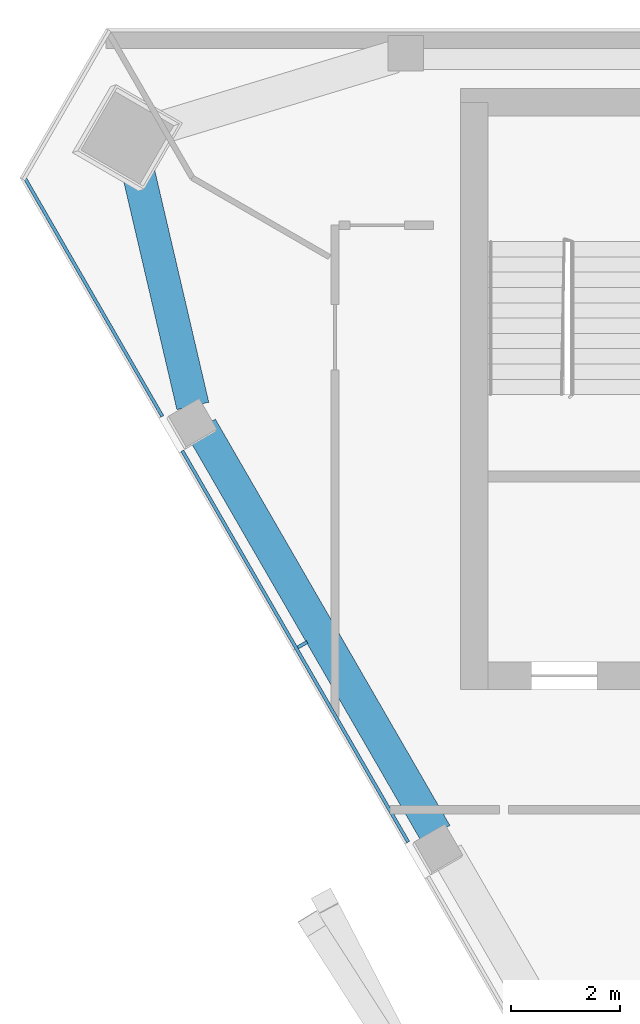
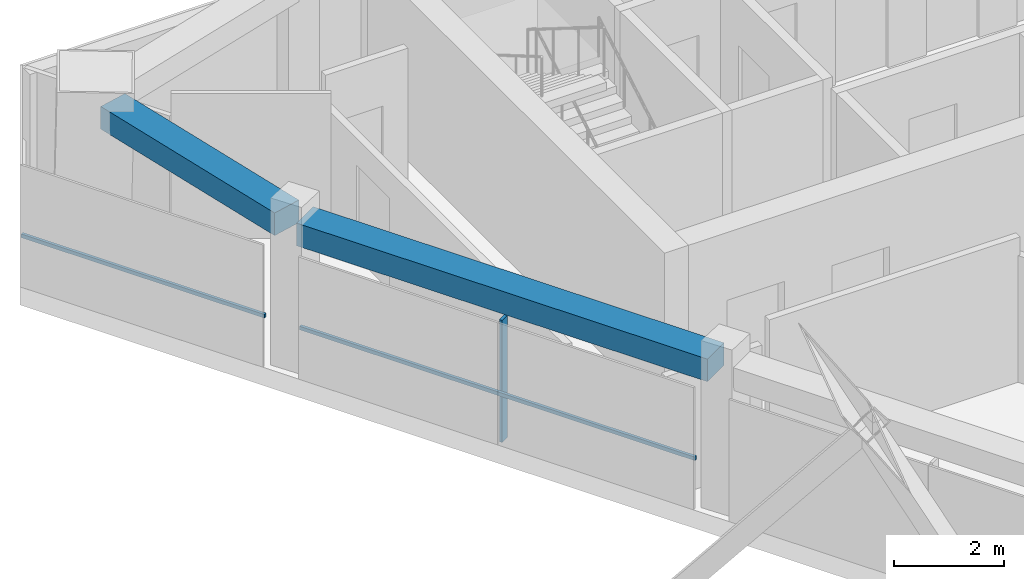
# One storey, part 3 of 10: 3 members, 2 beams, 1 element without a shape of its own.
"""IFC4 building model written with IfcOpenShell, lengths in metres."""

from ifc_helpers import new_model, si_unit, direction, frame, origin, origin_2d, place, context, subcontext, project, spatial, rectangle, extrude, material, layer, layer_set, material_profile, profile_set, type_object, element, aggregate, save


model = new_model("IFC4")

# Units and contexts
model_context = context("Model", 3, precision=1e-05, world=origin(), true_north=direction((0.0, 1.0)))
body_context = subcontext(model_context, "Body", "Model", "MODEL_VIEW")
ifc_project = project(units=[si_unit("LENGTHUNIT", "METRE"), si_unit("AREAUNIT", "SQUARE_METRE"), si_unit("VOLUMEUNIT", "CUBIC_METRE"), si_unit("PLANEANGLEUNIT", "RADIAN"), si_unit("MASSUNIT", "GRAM", prefix="KILO")], contexts=[model_context])

# Site, building, storey
site_placement = place(None, origin())
site = spatial("IfcSite", under=ifc_project, at=site_placement, CompositionType="ELEMENT")
building_placement = place(site_placement, origin())
building = spatial("IfcBuilding", under=site, at=building_placement, Name="Altiplano Prism Tower", CompositionType="ELEMENT")
storey_placement = place(building_placement, frame((0.0, 0.0, 347.199951171875)))
storey = spatial("IfcBuildingStorey", under=building, at=storey_placement, Name="L90", CompositionType="ELEMENT", Elevation=347.199951171875)

# Curtain wall, members
ifc_material_1 = material(Name="Aluminium and glass", Category="aluminium")
ifc_layer = layer(ifc_material_1, 0.303955078125)
ifc_layer_set = layer_set([ifc_layer], Name="Aluminium and glass")
curtain_wall_type = type_object("IfcCurtainWallType", Name="CW2 lounge-band unitised glazing", PredefinedType="NOTDEFINED", material=ifc_layer_set)
curtain_wall_placement = place(storey_placement, origin())
curtain_wall = element("IfcCurtainWall", 1, at=curtain_wall_placement, inside=storey, type_object=curtain_wall_type, Name="CW2 curtain wall south-west face L90", PredefinedType="NOTDEFINED")
ifc_material_2 = material(Name="Aluminium", Category="aluminium")
ifc_material_profile_1 = material_profile(ifc_material_2, rectangle(XDim=0.199951171875, YDim=0.06005859375, at=origin_2d()), Name="CW2 mullion 60 x 200")
ifc_profile_set_1 = profile_set([ifc_material_profile_1], Name="Aluminium")
member_type_1 = type_object("IfcMemberType", Name="CW2 mullion 60 x 200", PredefinedType="MULLION", material=ifc_profile_set_1)
member_1_placement = place(storey_placement, frame((69.604736328125, 93.71923828125, 0.0), z_axis=(0.0, 0.0, 1.0), x_axis=(0.866025399727, 0.500000007028, 0.0)))
member_1 = element("IfcMember", 2, at=member_1_placement, type_object=member_type_1, Name="CW2 mullion", PredefinedType="MULLION", context=body_context, shape_type="SweptSolid", body=[
    extrude(rectangle(XDim=0.199951171875, YDim=0.06005859375, at=origin_2d()), origin(), (0.0, 0.0, 1.0), 2.699951171875),
])
ifc_material_profile_2 = material_profile(ifc_material_2, rectangle(XDim=0.06005859375, YDim=0.080078125, at=origin_2d()), Name="CW2 transom 80 x 60")
ifc_profile_set_2 = profile_set([ifc_material_profile_2], Name="Aluminium")
member_type_2 = type_object("IfcMemberType", Name="CW2 transom 80 x 60", PredefinedType="USERDEFINED", material=ifc_profile_set_2)
member_2_placement = place(storey_placement, frame((64.497314453125, 102.3056640625, 1.10009765625), z_axis=(0.499970419673, -0.866042481321, 0.0), x_axis=(0.866042481321, 0.499970419673, 0.0)))
member_2 = element("IfcMember", 3, at=member_2_placement, type_object=member_type_2, Name="CW2 transom", ObjectType="TRANSOM", PredefinedType="USERDEFINED", context=body_context, shape_type="SweptSolid", body=[
    extrude(rectangle(XDim=0.06005859375, YDim=0.080078125, at=origin_2d()), origin(), (0.0, 0.0, 1.0), 5.085205078125),
])
member_3_placement = place(storey_placement, frame((67.40478515625, 97.269775390625, 1.10009765625), z_axis=(0.499983951678, -0.866034669089, 0.0), x_axis=(0.866034669089, 0.499983951678, 0.0)))
member_3 = element("IfcMember", 4, at=member_3_placement, type_object=member_type_2, Name="CW2 transom", ObjectType="TRANSOM", PredefinedType="USERDEFINED", context=body_context, shape_type="SweptSolid", body=[
    extrude(rectangle(XDim=0.06005859375, YDim=0.080078125, at=origin_2d()), origin(), (0.0, 0.0, 1.0), 8.270263671875),
])
aggregate(curtain_wall, [member_2, member_1, member_3])

# Beams
ifc_material_3 = material(Name="Concrete C60/75", Category="concrete")
ifc_material_profile_3 = material_profile(ifc_material_3, rectangle(XDim=0.60009765625, YDim=0.5, at=origin_2d()), Name="Edge beam 600x500")
ifc_profile_set_3 = profile_set([ifc_material_profile_3], Name="Concrete C60/75")
beam_type = type_object("IfcBeamType", Name="Edge beam 600x500", PredefinedType="SPANDREL", material=ifc_profile_set_3)
beam_1_placement = place(storey_placement, frame((66.552001953125, 102.579345703125, 2.949951171875), z_axis=(0.226983391933, -0.973898629112, 0.0), x_axis=(0.973898629112, 0.226983391933, 0.0)))
element("IfcBeam", 5, at=beam_1_placement, inside=storey, type_object=beam_type, Name="Edge beam M0-P11 L91", PredefinedType="SPANDREL", context=body_context, shape_type="SweptSolid", body=[
    extrude(rectangle(XDim=0.60009765625, YDim=0.5, at=origin_2d()), origin(), (0.0, 0.0, 1.0), 4.60791015625),
])
beam_2_placement = place(storey_placement, frame((67.750244140625, 97.7001953125, 2.949951171875), z_axis=(0.500011935685, -0.866018512604, 0.0), x_axis=(0.866018512604, 0.500011935685, 0.0)))
element("IfcBeam", 6, at=beam_2_placement, inside=storey, type_object=beam_type, Name="Edge beam P11-P12 L91", PredefinedType="SPANDREL", context=body_context, shape_type="SweptSolid", body=[
    extrude(rectangle(XDim=0.60009765625, YDim=0.5, at=origin_2d()), origin(), (0.0, 0.0, 1.0), 8.590087890625),
])

save(model, "model.ifc")
